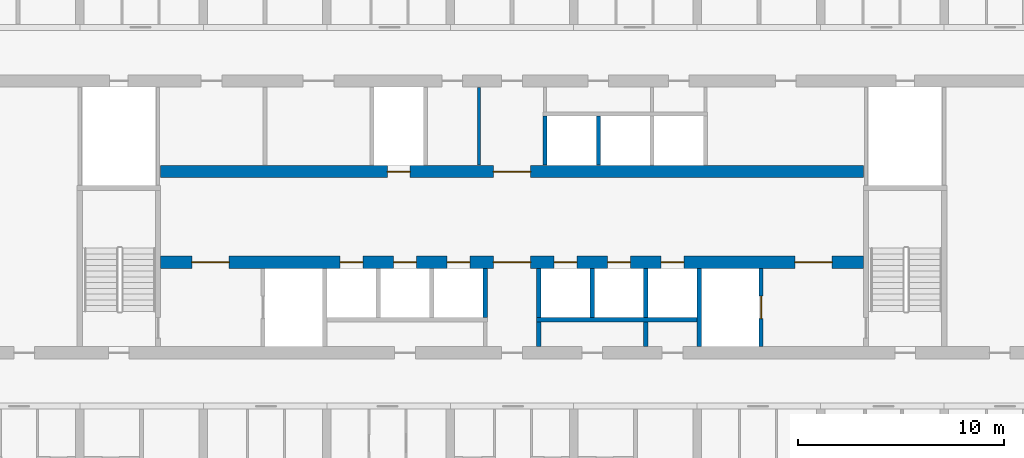
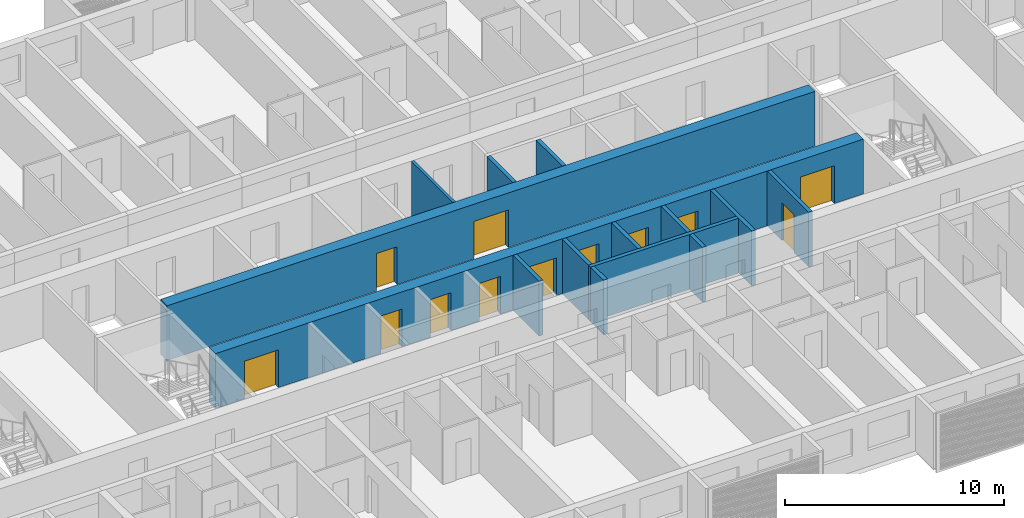
# One storey, part 8 of 38: 14 walls, 12 doors, 12 openings.
"""IFC4 building model written with IfcOpenShell, lengths in metres."""

from ifc_helpers import new_model, si_unit, direction, frame, frame_2d, origin, place, context, subcontext, project, spatial, rectangle, extrude, material, layer, layer_set, type_object, element, fill, save


model = new_model("IFC4")

# Units and contexts
model_context = context("Model", 3, precision=1e-05, world=origin(), true_north=direction((0.0, 1.0)))
body_context = subcontext(model_context, "Body", "Model", "MODEL_VIEW")
ifc_project = project(units=[si_unit("LENGTHUNIT", "METRE"), si_unit("AREAUNIT", "SQUARE_METRE"), si_unit("VOLUMEUNIT", "CUBIC_METRE"), si_unit("PLANEANGLEUNIT", "RADIAN"), si_unit("MASSUNIT", "GRAM", prefix="KILO")], contexts=[model_context])

# Site, building, storey
site_placement = place(None, origin())
site = spatial("IfcSite", under=ifc_project, at=site_placement, CompositionType="ELEMENT")
building_placement = place(site_placement, origin())
building = spatial("IfcBuilding", under=site, at=building_placement, Name="Poui Terraces", CompositionType="ELEMENT")
storey_placement = place(building_placement, frame((0.0, 0.0, 46.5)))
storey = spatial("IfcBuildingStorey", under=building, at=storey_placement, Name="L12", CompositionType="ELEMENT", Elevation=46.5)

# Wall, openings, doors
ifc_material_1 = material(Name="Concrete 80 MPa", Category="concrete")
ifc_layer_1 = layer(ifc_material_1, 0.60009765625)
ifc_layer_set_1 = layer_set([ifc_layer_1], Name="Concrete 80 MPa")
wall_type_1 = type_object("IfcWallType", Name="CORE WALL 600 80 MPA", PredefinedType="SOLIDWALL", material=ifc_layer_set_1)
wall_1_placement = place(storey_placement, frame((33.925048828125, 19.0, 0.0), z_axis=(0.0, 0.0, 1.0), x_axis=(1.0, 0.0, 0.0)))
wall_1 = element("IfcWall", 1, at=wall_1_placement, inside=storey, type_object=wall_type_1, Name="CORE WALL", PredefinedType="SOLIDWALL", context=body_context, shape_type="SweptSolid", body=[
    extrude(rectangle(XDim=34.14990234375, YDim=0.60009765625, at=frame_2d((17.074951171875, 0.0))), origin(), (0.0, 0.0, 1.0), 3.050048828125),
])
opening_1_placement = place(wall_1_placement, frame((16.175048828125, 0.0, 0.0)))
opening_1 = element("IfcOpeningElement", 2, at=opening_1_placement, cuts=wall_1, Name="Opening FDD60", PredefinedType="OPENING", context=body_context, shape_type="SweptSolid", body=[
    extrude(rectangle(XDim=1.800048828125, YDim=2.10009765625, at=frame_2d((0.89990234375, 1.050048828125))), frame((0.0, 0.31005859375, 0.0), z_axis=(0.0, -1.0, 0.0), x_axis=(1.0, 0.0, 0.0)), (0.0, 0.0, 1.0), 0.6201171875),
])
opening_2_placement = place(wall_1_placement, frame((1.52490234375, 0.0, 0.0)))
opening_2 = element("IfcOpeningElement", 3, at=opening_2_placement, cuts=wall_1, Name="Opening FDD60", PredefinedType="OPENING", context=body_context, shape_type="SweptSolid", body=[
    extrude(rectangle(XDim=1.800048828125, YDim=2.10009765625, at=frame_2d((0.89990234375, 1.050048828125))), frame((0.0, 0.31005859375, 0.0), z_axis=(0.0, -1.0, 0.0), x_axis=(1.0, 0.0, 0.0)), (0.0, 0.0, 1.0), 0.6201171875),
])
opening_3_placement = place(wall_1_placement, frame((8.72509765625, 0.0, 0.0)))
opening_3 = element("IfcOpeningElement", 4, at=opening_3_placement, cuts=wall_1, Name="Opening LD", PredefinedType="OPENING", context=body_context, shape_type="SweptSolid", body=[
    extrude(rectangle(XDim=1.10009765625, YDim=2.10009765625, at=frame_2d((0.550048828125, 1.050048828125))), frame((0.0, 0.31005859375, 0.0), z_axis=(0.0, -1.0, 0.0), x_axis=(1.0, 0.0, 0.0)), (0.0, 0.0, 1.0), 0.6201171875),
])
opening_4_placement = place(wall_1_placement, frame((11.324951171875, 0.0, 0.0)))
opening_4 = element("IfcOpeningElement", 5, at=opening_4_placement, cuts=wall_1, Name="Opening LD", PredefinedType="OPENING", context=body_context, shape_type="SweptSolid", body=[
    extrude(rectangle(XDim=1.10009765625, YDim=2.10009765625, at=frame_2d((0.550048828125, 1.050048828125))), frame((0.0, 0.31005859375, 0.0), z_axis=(0.0, -1.0, 0.0), x_axis=(1.0, 0.0, 0.0)), (0.0, 0.0, 1.0), 0.6201171875),
])
opening_5_placement = place(wall_1_placement, frame((13.925048828125, 0.0, 0.0)))
opening_5 = element("IfcOpeningElement", 6, at=opening_5_placement, cuts=wall_1, Name="Opening LD", PredefinedType="OPENING", context=body_context, shape_type="SweptSolid", body=[
    extrude(rectangle(XDim=1.10009765625, YDim=2.10009765625, at=frame_2d((0.550048828125, 1.050048828125))), frame((0.0, 0.31005859375, 0.0), z_axis=(0.0, -1.0, 0.0), x_axis=(1.0, 0.0, 0.0)), (0.0, 0.0, 1.0), 0.6201171875),
])
opening_6_placement = place(wall_1_placement, frame((19.125, 0.0, 0.0)))
opening_6 = element("IfcOpeningElement", 7, at=opening_6_placement, cuts=wall_1, Name="Opening LD", PredefinedType="OPENING", context=body_context, shape_type="SweptSolid", body=[
    extrude(rectangle(XDim=1.10009765625, YDim=2.10009765625, at=frame_2d((0.550048828125, 1.050048828125))), frame((0.0, 0.31005859375, 0.0), z_axis=(0.0, -1.0, 0.0), x_axis=(1.0, 0.0, 0.0)), (0.0, 0.0, 1.0), 0.6201171875),
])
opening_7_placement = place(wall_1_placement, frame((21.72509765625, 0.0, 0.0)))
opening_7 = element("IfcOpeningElement", 8, at=opening_7_placement, cuts=wall_1, Name="Opening LD", PredefinedType="OPENING", context=body_context, shape_type="SweptSolid", body=[
    extrude(rectangle(XDim=1.10009765625, YDim=2.10009765625, at=frame_2d((0.550048828125, 1.050048828125))), frame((0.0, 0.31005859375, 0.0), z_axis=(0.0, -1.0, 0.0), x_axis=(1.0, 0.0, 0.0)), (0.0, 0.0, 1.0), 0.6201171875),
])
opening_8_placement = place(wall_1_placement, frame((24.324951171875, 0.0, 0.0)))
opening_8 = element("IfcOpeningElement", 9, at=opening_8_placement, cuts=wall_1, Name="Opening LD", PredefinedType="OPENING", context=body_context, shape_type="SweptSolid", body=[
    extrude(rectangle(XDim=1.10009765625, YDim=2.10009765625, at=frame_2d((0.550048828125, 1.050048828125))), frame((0.0, 0.31005859375, 0.0), z_axis=(0.0, -1.0, 0.0), x_axis=(1.0, 0.0, 0.0)), (0.0, 0.0, 1.0), 0.6201171875),
])
opening_9_placement = place(wall_1_placement, frame((30.824951171875, 0.0, 0.0)))
opening_9 = element("IfcOpeningElement", 10, at=opening_9_placement, cuts=wall_1, Name="Opening FDD60", PredefinedType="OPENING", context=body_context, shape_type="SweptSolid", body=[
    extrude(rectangle(XDim=1.800048828125, YDim=2.10009765625, at=frame_2d((0.89990234375, 1.050048828125))), frame((0.0, 0.31005859375, 0.0), z_axis=(0.0, -1.0, 0.0), x_axis=(1.0, 0.0, 0.0)), (0.0, 0.0, 1.0), 0.6201171875),
])
ifc_material_2 = material(Name="Steel fire door", Category="steel")
door_type_1 = type_object("IfcDoorType", Name="DOUBLE LOBBY FIRE DOOR 1800 X 2100", OperationType="DOUBLE_DOOR_SINGLE_SWING", PredefinedType="DOOR", material=ifc_material_2)
door_1_placement = place(opening_1_placement, frame((1.800048828125, 0.0, 0.0), z_axis=(0.0, 0.0, 1.0), x_axis=(-1.0, 0.0, 0.0)))
door_1 = element("IfcDoor", 11, at=door_1_placement, inside=storey, type_object=door_type_1, Name="DOUBLE LOBBY FIRE DOOR 153", OperationType="DOUBLE_DOOR_SINGLE_SWING", OverallHeight=2.10009765625, OverallWidth=1.800048828125, PredefinedType="DOOR", context=body_context, shape_type="SweptSolid", body=[
    extrude(rectangle(XDim=1.800048828125, YDim=2.10009765625, at=frame_2d((0.89990234375, 1.050048828125))), frame((0.0, 0.02490234375, 0.0), z_axis=(0.0, -1.0, 0.0), x_axis=(1.0, 0.0, 0.0)), (0.0, 0.0, 1.0), 0.050048828125),
])
fill(opening_1, door_1)
door_2_placement = place(opening_2_placement, origin())
door_2 = element("IfcDoor", 12, at=door_2_placement, inside=storey, type_object=door_type_1, Name="DOUBLE LOBBY FIRE DOOR 154", OperationType="DOUBLE_DOOR_SINGLE_SWING", OverallHeight=2.10009765625, OverallWidth=1.800048828125, PredefinedType="DOOR", context=body_context, shape_type="SweptSolid", body=[
    extrude(rectangle(XDim=1.800048828125, YDim=2.10009765625, at=frame_2d((0.89990234375, 1.050048828125))), frame((0.0, 0.02490234375, 0.0), z_axis=(0.0, -1.0, 0.0), x_axis=(1.0, 0.0, 0.0)), (0.0, 0.0, 1.0), 0.050048828125),
])
fill(opening_2, door_2)
door_3_placement = place(opening_9_placement, origin())
door_3 = element("IfcDoor", 13, at=door_3_placement, inside=storey, type_object=door_type_1, Name="DOUBLE LOBBY FIRE DOOR 162", OperationType="DOUBLE_DOOR_SINGLE_SWING", OverallHeight=2.10009765625, OverallWidth=1.800048828125, PredefinedType="DOOR", context=body_context, shape_type="SweptSolid", body=[
    extrude(rectangle(XDim=1.800048828125, YDim=2.10009765625, at=frame_2d((0.89990234375, 1.050048828125))), frame((0.0, 0.02490234375, 0.0), z_axis=(0.0, -1.0, 0.0), x_axis=(1.0, 0.0, 0.0)), (0.0, 0.0, 1.0), 0.050048828125),
])
fill(opening_9, door_3)
ifc_material_3 = material(Name="Stainless steel sliding door", Category="steel")
door_type_2 = type_object("IfcDoorType", Name="LIFT LANDING DOOR 1100 X 2100", OperationType="DOUBLE_DOOR_SLIDING", PredefinedType="DOOR", material=ifc_material_3)
door_4_placement = place(opening_3_placement, origin())
door_4 = element("IfcDoor", 14, at=door_4_placement, inside=storey, type_object=door_type_2, Name="LANDING DOOR", OperationType="DOUBLE_DOOR_SLIDING", OverallHeight=2.10009765625, OverallWidth=1.10009765625, PredefinedType="DOOR", context=body_context, shape_type="SweptSolid", body=[
    extrude(rectangle(XDim=1.10009765625, YDim=2.10009765625, at=frame_2d((0.550048828125, 1.050048828125))), frame((0.0, 0.02490234375, 0.0), z_axis=(0.0, -1.0, 0.0), x_axis=(1.0, 0.0, 0.0)), (0.0, 0.0, 1.0), 0.050048828125),
])
fill(opening_3, door_4)
door_5_placement = place(opening_4_placement, origin())
door_5 = element("IfcDoor", 15, at=door_5_placement, inside=storey, type_object=door_type_2, Name="LANDING DOOR", OperationType="DOUBLE_DOOR_SLIDING", OverallHeight=2.10009765625, OverallWidth=1.10009765625, PredefinedType="DOOR", context=body_context, shape_type="SweptSolid", body=[
    extrude(rectangle(XDim=1.10009765625, YDim=2.10009765625, at=frame_2d((0.550048828125, 1.050048828125))), frame((0.0, 0.02490234375, 0.0), z_axis=(0.0, -1.0, 0.0), x_axis=(1.0, 0.0, 0.0)), (0.0, 0.0, 1.0), 0.050048828125),
])
fill(opening_4, door_5)
door_6_placement = place(opening_5_placement, origin())
door_6 = element("IfcDoor", 16, at=door_6_placement, inside=storey, type_object=door_type_2, Name="LANDING DOOR", OperationType="DOUBLE_DOOR_SLIDING", OverallHeight=2.10009765625, OverallWidth=1.10009765625, PredefinedType="DOOR", context=body_context, shape_type="SweptSolid", body=[
    extrude(rectangle(XDim=1.10009765625, YDim=2.10009765625, at=frame_2d((0.550048828125, 1.050048828125))), frame((0.0, 0.02490234375, 0.0), z_axis=(0.0, -1.0, 0.0), x_axis=(1.0, 0.0, 0.0)), (0.0, 0.0, 1.0), 0.050048828125),
])
fill(opening_5, door_6)
door_7_placement = place(opening_6_placement, origin())
door_7 = element("IfcDoor", 17, at=door_7_placement, inside=storey, type_object=door_type_2, Name="LANDING DOOR", OperationType="DOUBLE_DOOR_SLIDING", OverallHeight=2.10009765625, OverallWidth=1.10009765625, PredefinedType="DOOR", context=body_context, shape_type="SweptSolid", body=[
    extrude(rectangle(XDim=1.10009765625, YDim=2.10009765625, at=frame_2d((0.550048828125, 1.050048828125))), frame((0.0, 0.02490234375, 0.0), z_axis=(0.0, -1.0, 0.0), x_axis=(1.0, 0.0, 0.0)), (0.0, 0.0, 1.0), 0.050048828125),
])
fill(opening_6, door_7)
door_8_placement = place(opening_7_placement, origin())
door_8 = element("IfcDoor", 18, at=door_8_placement, inside=storey, type_object=door_type_2, Name="LANDING DOOR", OperationType="DOUBLE_DOOR_SLIDING", OverallHeight=2.10009765625, OverallWidth=1.10009765625, PredefinedType="DOOR", context=body_context, shape_type="SweptSolid", body=[
    extrude(rectangle(XDim=1.10009765625, YDim=2.10009765625, at=frame_2d((0.550048828125, 1.050048828125))), frame((0.0, 0.02490234375, 0.0), z_axis=(0.0, -1.0, 0.0), x_axis=(1.0, 0.0, 0.0)), (0.0, 0.0, 1.0), 0.050048828125),
])
fill(opening_7, door_8)
door_9_placement = place(opening_8_placement, origin())
door_9 = element("IfcDoor", 19, at=door_9_placement, inside=storey, type_object=door_type_2, Name="LANDING DOOR", OperationType="DOUBLE_DOOR_SLIDING", OverallHeight=2.10009765625, OverallWidth=1.10009765625, PredefinedType="DOOR", context=body_context, shape_type="SweptSolid", body=[
    extrude(rectangle(XDim=1.10009765625, YDim=2.10009765625, at=frame_2d((0.550048828125, 1.050048828125))), frame((0.0, 0.02490234375, 0.0), z_axis=(0.0, -1.0, 0.0), x_axis=(1.0, 0.0, 0.0)), (0.0, 0.0, 1.0), 0.050048828125),
])
fill(opening_8, door_9)

wall_2_placement = place(storey_placement, frame((33.925048828125, 23.39990234375, 0.0), z_axis=(0.0, 0.0, 1.0), x_axis=(1.0, 0.0, 0.0)))
wall_2 = element("IfcWall", 20, at=wall_2_placement, inside=storey, type_object=wall_type_1, Name="CORE WALL", PredefinedType="SOLIDWALL", context=body_context, shape_type="SweptSolid", body=[
    extrude(rectangle(XDim=34.14990234375, YDim=0.60009765625, at=frame_2d((17.074951171875, 0.0))), origin(), (0.0, 0.0, 1.0), 3.050048828125),
])
opening_10_placement = place(wall_2_placement, frame((16.175048828125, 0.0, 0.0)))
opening_10 = element("IfcOpeningElement", 21, at=opening_10_placement, cuts=wall_2, Name="Opening FDD60", PredefinedType="OPENING", context=body_context, shape_type="SweptSolid", body=[
    extrude(rectangle(XDim=1.800048828125, YDim=2.10009765625, at=frame_2d((0.89990234375, 1.050048828125))), frame((0.0, 0.31005859375, 0.0), z_axis=(0.0, -1.0, 0.0), x_axis=(1.0, 0.0, 0.0)), (0.0, 0.0, 1.0), 0.6201171875),
])
opening_11_placement = place(wall_2_placement, frame((11.02490234375, 0.0, 0.0)))
opening_11 = element("IfcOpeningElement", 22, at=opening_11_placement, cuts=wall_2, Name="Opening LD", PredefinedType="OPENING", context=body_context, shape_type="SweptSolid", body=[
    extrude(rectangle(XDim=1.10009765625, YDim=2.10009765625, at=frame_2d((0.550048828125, 1.050048828125))), frame((0.0, 0.31005859375, 0.0), z_axis=(0.0, -1.0, 0.0), x_axis=(1.0, 0.0, 0.0)), (0.0, 0.0, 1.0), 0.6201171875),
])
door_10_placement = place(opening_10_placement, origin())
door_10 = element("IfcDoor", 23, at=door_10_placement, inside=storey, type_object=door_type_1, Name="DOUBLE LOBBY FIRE DOOR 152", OperationType="DOUBLE_DOOR_SINGLE_SWING", OverallHeight=2.10009765625, OverallWidth=1.800048828125, PredefinedType="DOOR", context=body_context, shape_type="SweptSolid", body=[
    extrude(rectangle(XDim=1.800048828125, YDim=2.10009765625, at=frame_2d((0.89990234375, 1.050048828125))), frame((0.0, 0.02490234375, 0.0), z_axis=(0.0, -1.0, 0.0), x_axis=(1.0, 0.0, 0.0)), (0.0, 0.0, 1.0), 0.050048828125),
])
fill(opening_10, door_10)
door_11_placement = place(opening_11_placement, origin())
door_11 = element("IfcDoor", 24, at=door_11_placement, inside=storey, type_object=door_type_2, Name="LANDING DOOR", OperationType="DOUBLE_DOOR_SLIDING", OverallHeight=2.10009765625, OverallWidth=1.10009765625, PredefinedType="DOOR", context=body_context, shape_type="SweptSolid", body=[
    extrude(rectangle(XDim=1.10009765625, YDim=2.10009765625, at=frame_2d((0.550048828125, 1.050048828125))), frame((0.0, 0.02490234375, 0.0), z_axis=(0.0, -1.0, 0.0), x_axis=(1.0, 0.0, 0.0)), (0.0, 0.0, 1.0), 0.050048828125),
])
fill(opening_11, door_11)

# Walls
ifc_material_4 = material(Name="Fire-rated plasterboard wall")
ifc_layer_2 = layer(ifc_material_4, 0.14990234375)
ifc_layer_set_2 = layer_set([ifc_layer_2], Name="Fire-rated plasterboard wall")
wall_type_2 = type_object("IfcWallType", Name="CORRIDOR WALL 150", PredefinedType="PARTITIONING", material=ifc_layer_set_2)
wall_3_placement = place(storey_placement, frame((49.39990234375, 23.7099609375, 0.0), z_axis=(0.0, 0.0, 1.0), x_axis=(0.0, 1.0, 0.0)))
element("IfcWall", 25, at=wall_3_placement, inside=storey, type_object=wall_type_2, Name="CORRIDOR WALL 150", PredefinedType="PARTITIONING", context=body_context, shape_type="SweptSolid", body=[
    extrude(rectangle(XDim=3.780029296875, YDim=0.14990234375, at=frame_2d((1.89013671875, 0.0))), origin(), (0.0, 0.0, 1.0), 3.050048828125),
])
ifc_material_5 = material(Name="Fire-rated masonry wall", Category="masonry")
ifc_layer_3 = layer(ifc_material_5, 0.199951171875)
ifc_layer_set_3 = layer_set([ifc_layer_3], Name="Fire-rated masonry wall")
wall_type_3 = type_object("IfcWallType", Name="PLANT ROOM WALL 200", PredefinedType="PARTITIONING", material=ifc_layer_set_3)
for number, where, z_axis, x_axis, name in (
    (26, (52.300048828125, 14.909912109375, 0.0), (0.0, 0.0, 1.0), (0.0, 1.0, 0.0), "PLANT ROOM WALL 200"),
    (27, (57.5, 14.909912109375, 0.0), (0.0, 0.0, 1.0), (0.0, 1.0, 0.0), "PLANT ROOM WALL 200"),
):
    element("IfcWall", number, at=place(storey_placement, frame(where, z_axis=z_axis, x_axis=x_axis)), inside=storey, type_object=wall_type_3, Name=name, PredefinedType="PARTITIONING", context=body_context, shape_type="SweptSolid", body=[
        extrude(rectangle(XDim=1.190185546875, YDim=0.199951171875, at=frame_2d((0.59521484375, 0.0))), origin(), (0.0, 0.0, 1.0), 3.050048828125),
    ])
ifc_material_6 = material(Name="Fire-rated masonry shaft wall", Category="masonry")
ifc_layer_4 = layer(ifc_material_6, 0.199951171875)
ifc_layer_set_4 = layer_set([ifc_layer_4], Name="Fire-rated masonry shaft wall")
wall_type_4 = type_object("IfcWallType", Name="SHAFT WALL 200", PredefinedType="PARTITIONING", material=ifc_layer_set_4)
wall_4_placement = place(storey_placement, frame((52.199951171875, 16.199951171875, 0.0), z_axis=(0.0, 0.0, 1.0), x_axis=(1.0, 0.0, 0.0)))
element("IfcWall", 28, at=wall_4_placement, inside=storey, type_object=wall_type_4, Name="SHAFT WALL 200", PredefinedType="PARTITIONING", context=body_context, shape_type="SweptSolid", body=[
    extrude(rectangle(XDim=7.800048828125, YDim=0.199951171875, at=frame_2d((3.89990234375, 0.0))), origin(), (0.0, 0.0, 1.0), 3.050048828125),
])
for number, where, z_axis, x_axis, name in (
    (29, (49.699951171875, 16.300048828125, 0.0), (0.0, 0.0, 1.0), (0.0, 1.0, 0.0), "SHAFT WALL 200"),
    (30, (52.300048828125, 16.300048828125, 0.0), (0.0, 0.0, 1.0), (0.0, 1.0, 0.0), "SHAFT WALL 200"),
):
    element("IfcWall", number, at=place(storey_placement, frame(where, z_axis=z_axis, x_axis=x_axis)), inside=storey, type_object=wall_type_4, Name=name, PredefinedType="PARTITIONING", context=body_context, shape_type="SweptSolid", body=[
        extrude(rectangle(XDim=2.389892578125, YDim=0.199951171875, at=frame_2d((1.19482421875, 0.0))), origin(), (0.0, 0.0, 1.0), 3.050048828125),
    ])
wall_5_placement = place(storey_placement, frame((52.60009765625, 23.7099609375, 0.0), z_axis=(0.0, 0.0, 1.0), x_axis=(0.0, 1.0, 0.0)))
element("IfcWall", 31, at=wall_5_placement, inside=storey, type_object=wall_type_4, Name="SHAFT WALL 200", PredefinedType="PARTITIONING", context=body_context, shape_type="SweptSolid", body=[
    extrude(rectangle(XDim=2.39013671875, YDim=0.199951171875, at=frame_2d((1.195068359375, 0.0))), origin(), (0.0, 0.0, 1.0), 3.050048828125),
])
wall_6_placement = place(storey_placement, frame((54.89990234375, 16.300048828125, 0.0), z_axis=(0.0, 0.0, 1.0), x_axis=(0.0, 1.0, 0.0)))
element("IfcWall", 32, at=wall_6_placement, inside=storey, type_object=wall_type_4, Name="SHAFT WALL 200", PredefinedType="PARTITIONING", context=body_context, shape_type="SweptSolid", body=[
    extrude(rectangle(XDim=2.389892578125, YDim=0.199951171875, at=frame_2d((1.19482421875, 0.0))), origin(), (0.0, 0.0, 1.0), 3.050048828125),
])
wall_7_placement = place(storey_placement, frame((55.199951171875, 23.7099609375, 0.0), z_axis=(0.0, 0.0, 1.0), x_axis=(0.0, 1.0, 0.0)))
element("IfcWall", 33, at=wall_7_placement, inside=storey, type_object=wall_type_4, Name="SHAFT WALL 200", PredefinedType="PARTITIONING", context=body_context, shape_type="SweptSolid", body=[
    extrude(rectangle(XDim=2.39013671875, YDim=0.199951171875, at=frame_2d((1.195068359375, 0.0))), origin(), (0.0, 0.0, 1.0), 3.050048828125),
])
wall_8_placement = place(storey_placement, frame((57.5, 16.300048828125, 0.0), z_axis=(0.0, 0.0, 1.0), x_axis=(0.0, 1.0, 0.0)))
element("IfcWall", 34, at=wall_8_placement, inside=storey, type_object=wall_type_4, Name="SHAFT WALL 200", PredefinedType="PARTITIONING", context=body_context, shape_type="SweptSolid", body=[
    extrude(rectangle(XDim=2.389892578125, YDim=0.199951171875, at=frame_2d((1.19482421875, 0.0))), origin(), (0.0, 0.0, 1.0), 3.050048828125),
])
wall_9_placement = place(storey_placement, frame((60.10009765625, 14.909912109375, 0.0), z_axis=(0.0, 0.0, 1.0), x_axis=(0.0, 1.0, 0.0)))
element("IfcWall", 35, at=wall_9_placement, inside=storey, type_object=wall_type_4, Name="SHAFT WALL 200", PredefinedType="PARTITIONING", context=body_context, shape_type="SweptSolid", body=[
    extrude(rectangle(XDim=3.780029296875, YDim=0.199951171875, at=frame_2d((1.89013671875, 0.0))), origin(), (0.0, 0.0, 1.0), 3.050048828125),
])

# Wall, opening, door
wall_10_placement = place(storey_placement, frame((63.10009765625, 14.909912109375, 0.0), z_axis=(0.0, 0.0, 1.0), x_axis=(0.0, 1.0, 0.0)))
wall_10 = element("IfcWall", 36, at=wall_10_placement, inside=storey, type_object=wall_type_4, Name="SHAFT WALL 200", PredefinedType="PARTITIONING", context=body_context, shape_type="SweptSolid", body=[
    extrude(rectangle(XDim=3.780029296875, YDim=0.199951171875, at=frame_2d((1.89013671875, 0.0))), origin(), (0.0, 0.0, 1.0), 3.050048828125),
])
opening_12_placement = place(wall_10_placement, frame((1.340087890625, 0.0, 0.0)))
opening_12 = element("IfcOpeningElement", 37, at=opening_12_placement, cuts=wall_10, Name="Opening LD", PredefinedType="OPENING", context=body_context, shape_type="SweptSolid", body=[
    extrude(rectangle(XDim=1.10009765625, YDim=2.10009765625, at=frame_2d((0.550048828125, 1.050048828125))), frame((0.0, 0.10986328125, 0.0), z_axis=(0.0, -1.0, 0.0), x_axis=(1.0, 0.0, 0.0)), (0.0, 0.0, 1.0), 0.219970703125),
])
door_12_placement = place(opening_12_placement, origin())
door_12 = element("IfcDoor", 38, at=door_12_placement, inside=storey, type_object=door_type_2, Name="LANDING DOOR", OperationType="DOUBLE_DOOR_SLIDING", OverallHeight=2.10009765625, OverallWidth=1.10009765625, PredefinedType="DOOR", context=body_context, shape_type="SweptSolid", body=[
    extrude(rectangle(XDim=1.10009765625, YDim=2.10009765625, at=frame_2d((0.550048828125, 1.050048828125))), frame((0.0, 0.02490234375, 0.0), z_axis=(0.0, -1.0, 0.0), x_axis=(1.0, 0.0, 0.0)), (0.0, 0.0, 1.0), 0.050048828125),
])
fill(opening_12, door_12)

save(model, "model.ifc")
